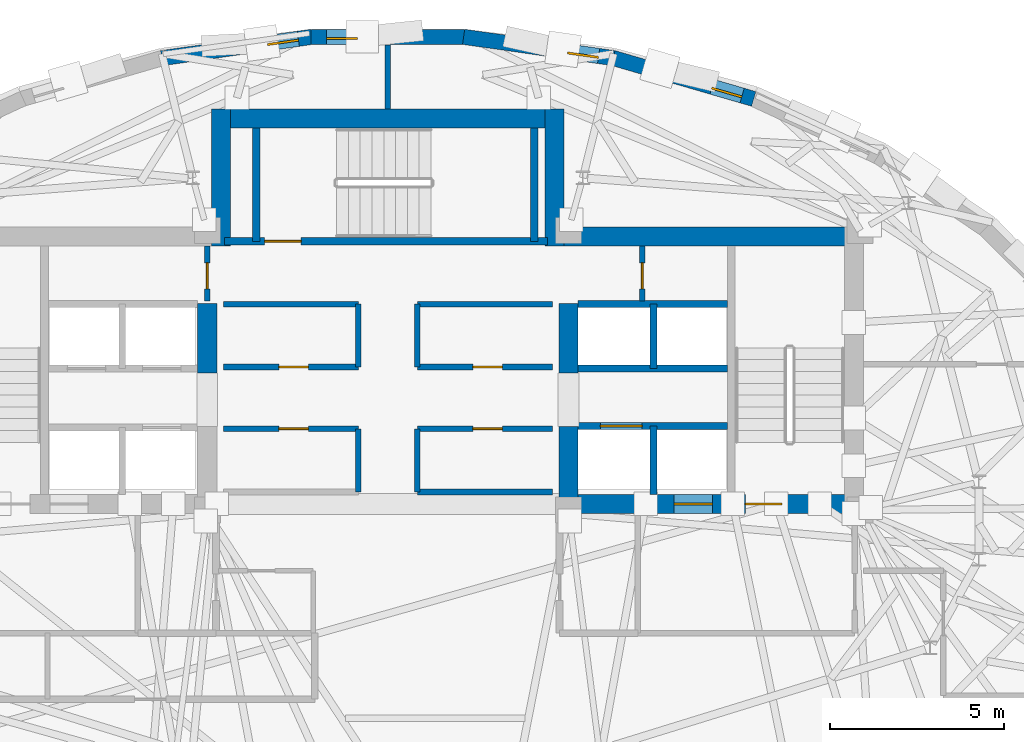
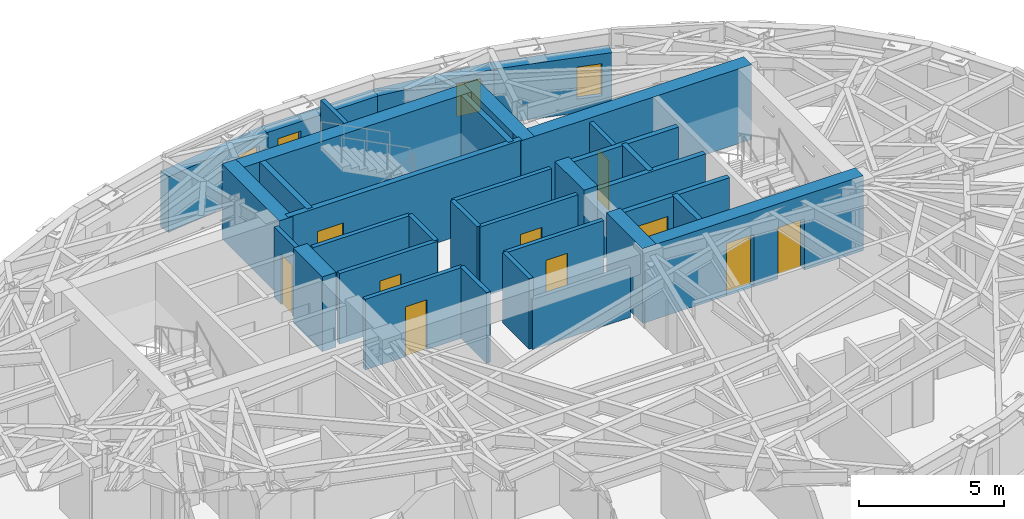
# One storey, part 8 of 12: 34 walls, 10 doors, 4 windows, 14 openings.
"""IFC4 building model written with IfcOpenShell, lengths in metres."""

from ifc_helpers import new_model, si_unit, direction, frame, frame_2d, origin, place, context, subcontext, project, spatial, rectangle, extrude, material, layer, layer_set, type_object, element, fill, save


model = new_model("IFC4")

# Units and contexts
model_context = context("Model", 3, precision=1e-05, world=origin(), true_north=direction((0.0, 1.0)))
body_context = subcontext(model_context, "Body", "Model", "MODEL_VIEW")
ifc_project = project(units=[si_unit("LENGTHUNIT", "METRE"), si_unit("AREAUNIT", "SQUARE_METRE"), si_unit("VOLUMEUNIT", "CUBIC_METRE"), si_unit("PLANEANGLEUNIT", "RADIAN"), si_unit("MASSUNIT", "GRAM", prefix="KILO")], contexts=[model_context])

# Site, building, storey
site_placement = place(None, origin())
site = spatial("IfcSite", under=ifc_project, at=site_placement, CompositionType="ELEMENT")
building_placement = place(site_placement, origin())
building = spatial("IfcBuilding", under=site, at=building_placement, Name="Keldmark Tower", CompositionType="ELEMENT")
storey_placement = place(building_placement, frame((0.0, 0.0, 228.89990234375)))
storey = spatial("IfcBuildingStorey", under=building, at=storey_placement, Name="L64", CompositionType="ELEMENT", Elevation=228.89990234375)

# Walls
ifc_material_1 = material(Name="Concrete C50/60", Category="concrete")
ifc_layer_1 = layer(ifc_material_1, 0.550048828125)
ifc_layer_set_1 = layer_set([ifc_layer_1], Name="Concrete C50/60")
wall_type_1 = type_object("IfcWallType", Name="High-Rise Core Shear Wall 550 mm", PredefinedType="SHEAR", material=ifc_layer_set_1)
wall_1_placement = place(storey_placement, frame((-5.199951171875, 5.35009765625, 0.0), z_axis=(0.0, 0.0, 1.0), x_axis=(0.0, 1.0, 0.0)))
element("IfcWall", 1, at=wall_1_placement, inside=storey, type_object=wall_type_1, Name="L64 West Core Inner Shear Pier North", PredefinedType="SHEAR", context=body_context, shape_type="SweptSolid", body=[
    extrude(rectangle(XDim=2.0, YDim=0.550048828125, at=frame_2d((1.0, 0.0))), origin(), (0.0, 0.0, 1.0), 3.150146484375),
])
wall_2_placement = place(storey_placement, frame((4.52490234375, 9.27490234375, 0.0), z_axis=(0.0, 0.0, 1.0), x_axis=(1.0, 0.0, 0.0)))
element("IfcWall", 2, at=wall_2_placement, inside=storey, type_object=wall_type_1, Name="L64 East Core North Shear Wall", PredefinedType="SHEAR", context=body_context, shape_type="SweptSolid", body=[
    extrude(rectangle(XDim=9.175048828125, YDim=0.550048828125, at=frame_2d((4.58740234375, 0.0))), origin(), (0.0, 0.0, 1.0), 3.150146484375),
])

# Wall, openings, doors
wall_3_placement = place(storey_placement, frame((13.699951171875, 1.574951171875, 0.0), z_axis=(0.0, 0.0, 1.0), x_axis=(-1.0, 0.0, 0.0)))
wall_3 = element("IfcWall", 3, at=wall_3_placement, inside=storey, type_object=wall_type_1, Name="L64 East Core South Shear Wall", PredefinedType="SHEAR", context=body_context, shape_type="SweptSolid", body=[
    extrude(rectangle(XDim=8.77490234375, YDim=0.550048828125, at=frame_2d((4.387451171875, 0.0))), origin(), (0.0, 0.0, 1.0), 3.150146484375),
])
opening_1_placement = place(wall_3_placement, frame((2.35009765625, 0.0, 0.0)))
opening_1 = element("IfcOpeningElement", 4, at=opening_1_placement, cuts=wall_3, Name="Opening D-ST105", PredefinedType="OPENING", context=body_context, shape_type="SweptSolid", body=[
    extrude(rectangle(XDim=1.050048828125, YDim=2.14990234375, at=frame_2d((0.52490234375, 1.074951171875))), frame((0.0, 0.284912109375, 0.0), z_axis=(0.0, -1.0, 0.0), x_axis=(1.0, 0.0, 0.0)), (0.0, 0.0, 1.0), 0.570068359375),
])
opening_2_placement = place(wall_3_placement, frame((4.35009765625, 0.0, 0.0)))
opening_2 = element("IfcOpeningElement", 5, at=opening_2_placement, cuts=wall_3, Name="Opening LD-110", PredefinedType="OPENING", context=body_context, shape_type="SweptSolid", body=[
    extrude(rectangle(XDim=1.10009765625, YDim=2.199951171875, at=frame_2d((0.550048828125, 1.10009765625))), frame((0.0, 0.284912109375, 0.0), z_axis=(0.0, -1.0, 0.0), x_axis=(1.0, 0.0, 0.0)), (0.0, 0.0, 1.0), 0.570068359375),
])
ifc_material_2 = material(Name="Brushed Bronze Hoistway Sliding Leaf", Category="metal")
door_type_1 = type_object("IfcDoorType", Name="Lift Landing Sliding Door 1100x2200", OperationType="SLIDING_TO_LEFT", PredefinedType="DOOR", material=ifc_material_2)
door_1_placement = place(opening_2_placement, origin())
door_1 = element("IfcDoor", 6, at=door_1_placement, inside=storey, type_object=door_type_1, Name="L64 Lift Landing Sliding Door 1100x2200 LD-EL-FS2-L64", OperationType="SLIDING_TO_LEFT", OverallHeight=2.199951171875, OverallWidth=1.10009765625, PredefinedType="DOOR", context=body_context, shape_type="SweptSolid", body=[
    extrude(rectangle(XDim=1.10009765625, YDim=2.199951171875, at=frame_2d((0.550048828125, 1.10009765625))), frame((0.0, 0.02490234375, 0.0), z_axis=(0.0, -1.0, 0.0), x_axis=(1.0, 0.0, 0.0)), (0.0, 0.0, 1.0), 0.050048828125),
])
fill(opening_2, door_1)
ifc_material_3 = material(Name="Hollow Metal Fire-Rated Door Assembly", Category="metal")
door_type_2 = type_object("IfcDoorType", Name="Stair Fire Door 1050x2150", OperationType="NOTDEFINED", PredefinedType="DOOR", material=ifc_material_3)
door_2_placement = place(opening_1_placement, origin())
door_2 = element("IfcDoor", 7, at=door_2_placement, inside=storey, type_object=door_type_2, Name="L64 Stair Fire Door 1050x2150 D-ST2-L64", OperationType="SINGLE_SWING_LEFT", OverallHeight=2.14990234375, OverallWidth=1.050048828125, PredefinedType="DOOR", context=body_context, shape_type="SweptSolid", body=[
    extrude(rectangle(XDim=1.050048828125, YDim=2.14990234375, at=frame_2d((0.52490234375, 1.074951171875))), frame((0.0, 0.02490234375, 0.0), z_axis=(0.0, -1.0, 0.0), x_axis=(1.0, 0.0, 0.0)), (0.0, 0.0, 1.0), 0.050048828125),
])
fill(opening_1, door_2)

# Walls
wall_4_placement = place(storey_placement, frame((5.199951171875, 1.300048828125, 0.0), z_axis=(0.0, 0.0, 1.0), x_axis=(0.0, 1.0, 0.0)))
element("IfcWall", 8, at=wall_4_placement, inside=storey, type_object=wall_type_1, Name="L64 East Core Inner Shear Pier South", PredefinedType="SHEAR", context=body_context, shape_type="SweptSolid", body=[
    extrude(rectangle(XDim=2.5, YDim=0.550048828125, at=frame_2d((1.25, 0.0))), origin(), (0.0, 0.0, 1.0), 3.150146484375),
])
wall_5_placement = place(storey_placement, frame((5.199951171875, 5.35009765625, 0.0), z_axis=(0.0, 0.0, 1.0), x_axis=(0.0, 1.0, 0.0)))
element("IfcWall", 9, at=wall_5_placement, inside=storey, type_object=wall_type_1, Name="L64 East Core Inner Shear Pier North", PredefinedType="SHEAR", context=body_context, shape_type="SweptSolid", body=[
    extrude(rectangle(XDim=2.0, YDim=0.550048828125, at=frame_2d((1.0, 0.0))), origin(), (0.0, 0.0, 1.0), 3.150146484375),
])
wall_6_placement = place(storey_placement, frame((-5.074951171875, 12.675048828125, 0.0), z_axis=(0.0, 0.0, 1.0), x_axis=(1.0, 0.0, 0.0)))
element("IfcWall", 10, at=wall_6_placement, inside=storey, type_object=wall_type_1, Name="L64 North Core Shear Wall", PredefinedType="SHEAR", context=body_context, shape_type="SweptSolid", body=[
    extrude(rectangle(XDim=10.14990234375, YDim=0.550048828125, at=frame_2d((5.074951171875, 0.0))), origin(), (0.0, 0.0, 1.0), 3.150146484375),
])
for number, where, z_axis, x_axis, name in (
    (11, (-4.800048828125, 9.0, 0.0), (0.0, 0.0, 1.0), (0.0, 1.0, 0.0), "L64 North Core West Shear Wall"),
    (12, (4.800048828125, 9.0, 0.0), (0.0, 0.0, 1.0), (0.0, 1.0, 0.0), "L64 North Core East Shear Wall"),
):
    element("IfcWall", number, at=place(storey_placement, frame(where, z_axis=z_axis, x_axis=x_axis)), inside=storey, type_object=wall_type_1, Name=name, PredefinedType="SHEAR", context=body_context, shape_type="SweptSolid", body=[
        extrude(rectangle(XDim=3.949951171875, YDim=0.550048828125, at=frame_2d((1.97509765625, 0.0))), origin(), (0.0, 0.0, 1.0), 3.150146484375),
    ])

# Wall, opening, door
ifc_material_4 = material(Name="Type X Fire-Rated Gypsum Partition Assembly", Category="gypsum")
ifc_layer_2 = layer(ifc_material_4, 0.1650390625)
ifc_layer_set_2 = layer_set([ifc_layer_2], Name="Type X Fire-Rated Gypsum Partition Assembly")
wall_type_2 = type_object("IfcWallType", Name="Rated Partition 165 mm", PredefinedType="PARTITIONING", material=ifc_layer_set_2)
wall_7_placement = place(storey_placement, frame((-4.739990234375, 3.739990234375, 0.0), z_axis=(0.0, 0.0, 1.0), x_axis=(1.0, 0.0, 0.0)))
wall_7 = element("IfcWall", 13, at=wall_7_placement, inside=storey, type_object=wall_type_2, Name="L64 Rated Partition 165 mm REC-LW-N", PredefinedType="PARTITIONING", context=body_context, shape_type="SweptSolid", body=[
    extrude(rectangle(XDim=3.889892578125, YDim=0.1650390625, at=frame_2d((1.94482421875, 0.0))), origin(), (0.0, 0.0, 1.0), 2.97021484375),
])
opening_3_placement = place(wall_7_placement, frame((1.60009765625, 0.0, 0.0)))
opening_3 = element("IfcOpeningElement", 14, at=opening_3_placement, cuts=wall_7, Name="Opening D-SV085", PredefinedType="OPENING", context=body_context, shape_type="SweptSolid", body=[
    extrude(rectangle(XDim=0.85009765625, YDim=2.10009765625, at=frame_2d((0.425048828125, 1.050048828125))), frame((0.0, 0.092529296875, 0.0), z_axis=(0.0, -1.0, 0.0), x_axis=(1.0, 0.0, 0.0)), (0.0, 0.0, 1.0), 0.18505859375),
])
ifc_material_5 = material(Name="Painted Hollow Metal Door Assembly", Category="metal")
door_type_3 = type_object("IfcDoorType", Name="Service Door 850x2100", OperationType="NOTDEFINED", PredefinedType="DOOR", material=ifc_material_5)
door_3_placement = place(opening_3_placement, origin())
door_3 = element("IfcDoor", 15, at=door_3_placement, inside=storey, type_object=door_type_3, Name="L64 Service Door 850x2100 D-RECLW1-L64", OperationType="SINGLE_SWING_LEFT", OverallHeight=2.10009765625, OverallWidth=0.85009765625, PredefinedType="DOOR", context=body_context, shape_type="SweptSolid", body=[
    extrude(rectangle(XDim=0.85009765625, YDim=2.10009765625, at=frame_2d((0.425048828125, 1.050048828125))), frame((0.0, 0.02490234375, 0.0), z_axis=(0.0, -1.0, 0.0), x_axis=(1.0, 0.0, 0.0)), (0.0, 0.0, 1.0), 0.050048828125),
])
fill(opening_3, door_3)

# Walls
wall_8_placement = place(storey_placement, frame((-0.85009765625, 1.919921875, 0.0), z_axis=(0.0, 0.0, 1.0), x_axis=(0.0, 1.0, 0.0)))
element("IfcWall", 16, at=wall_8_placement, inside=storey, type_object=wall_type_2, Name="L64 Rated Partition 165 mm REC-LW-E", PredefinedType="PARTITIONING", context=body_context, shape_type="SweptSolid", body=[
    extrude(rectangle(XDim=1.820068359375, YDim=0.1650390625, at=frame_2d((0.91015625, 0.0))), origin(), (0.0, 0.0, 1.0), 2.97021484375),
])
wall_9_placement = place(storey_placement, frame((0.85009765625, 1.919921875, 0.0), z_axis=(0.0, 0.0, 1.0), x_axis=(1.0, 0.0, 0.0)))
element("IfcWall", 17, at=wall_9_placement, inside=storey, type_object=wall_type_2, Name="L64 Rated Partition 165 mm REC-LE-S", PredefinedType="PARTITIONING", context=body_context, shape_type="SweptSolid", body=[
    extrude(rectangle(XDim=3.889892578125, YDim=0.1650390625, at=frame_2d((1.94482421875, 0.0))), origin(), (0.0, 0.0, 1.0), 2.110107421875),
])

# Wall, opening, door
wall_10_placement = place(storey_placement, frame((0.85009765625, 3.739990234375, 0.0), z_axis=(0.0, 0.0, 1.0), x_axis=(1.0, 0.0, 0.0)))
wall_10 = element("IfcWall", 18, at=wall_10_placement, inside=storey, type_object=wall_type_2, Name="L64 Rated Partition 165 mm REC-LE-N", PredefinedType="PARTITIONING", context=body_context, shape_type="SweptSolid", body=[
    extrude(rectangle(XDim=3.889892578125, YDim=0.1650390625, at=frame_2d((1.94482421875, 0.0))), origin(), (0.0, 0.0, 1.0), 2.97021484375),
])
opening_4_placement = place(wall_10_placement, frame((1.60009765625, 0.0, 0.0)))
opening_4 = element("IfcOpeningElement", 19, at=opening_4_placement, cuts=wall_10, Name="Opening D-SV085", PredefinedType="OPENING", context=body_context, shape_type="SweptSolid", body=[
    extrude(rectangle(XDim=0.85009765625, YDim=2.10009765625, at=frame_2d((0.425048828125, 1.050048828125))), frame((0.0, 0.092529296875, 0.0), z_axis=(0.0, -1.0, 0.0), x_axis=(1.0, 0.0, 0.0)), (0.0, 0.0, 1.0), 0.18505859375),
])
door_4_placement = place(opening_4_placement, origin())
door_4 = element("IfcDoor", 20, at=door_4_placement, inside=storey, type_object=door_type_3, Name="L64 Service Door 850x2100 D-RECLE1-L64", OperationType="SINGLE_SWING_RIGHT", OverallHeight=2.10009765625, OverallWidth=0.85009765625, PredefinedType="DOOR", context=body_context, shape_type="SweptSolid", body=[
    extrude(rectangle(XDim=0.85009765625, YDim=2.10009765625, at=frame_2d((0.425048828125, 1.050048828125))), frame((0.0, 0.02490234375, 0.0), z_axis=(0.0, -1.0, 0.0), x_axis=(1.0, 0.0, 0.0)), (0.0, 0.0, 1.0), 0.050048828125),
])
fill(opening_4, door_4)

# Wall
wall_11_placement = place(storey_placement, frame((0.85009765625, 1.919921875, 0.0), z_axis=(0.0, 0.0, 1.0), x_axis=(0.0, 1.0, 0.0)))
element("IfcWall", 21, at=wall_11_placement, inside=storey, type_object=wall_type_2, Name="L64 Rated Partition 165 mm REC-LE-W", PredefinedType="PARTITIONING", context=body_context, shape_type="SweptSolid", body=[
    extrude(rectangle(XDim=1.820068359375, YDim=0.1650390625, at=frame_2d((0.91015625, 0.0))), origin(), (0.0, 0.0, 1.0), 2.97021484375),
])

# Wall, opening, door
wall_12_placement = place(storey_placement, frame((-4.739990234375, 5.52001953125, 0.0), z_axis=(0.0, 0.0, 1.0), x_axis=(1.0, 0.0, 0.0)))
wall_12 = element("IfcWall", 22, at=wall_12_placement, inside=storey, type_object=wall_type_2, Name="L64 Rated Partition 165 mm REC-MW-S", PredefinedType="PARTITIONING", context=body_context, shape_type="SweptSolid", body=[
    extrude(rectangle(XDim=3.889892578125, YDim=0.1650390625, at=frame_2d((1.94482421875, 0.0))), origin(), (0.0, 0.0, 1.0), 2.97021484375),
])
opening_5_placement = place(wall_12_placement, frame((1.60009765625, 0.0, 0.0)))
opening_5 = element("IfcOpeningElement", 23, at=opening_5_placement, cuts=wall_12, Name="Opening D-SV085", PredefinedType="OPENING", context=body_context, shape_type="SweptSolid", body=[
    extrude(rectangle(XDim=0.85009765625, YDim=2.10009765625, at=frame_2d((0.425048828125, 1.050048828125))), frame((0.0, 0.092529296875, 0.0), z_axis=(0.0, -1.0, 0.0), x_axis=(1.0, 0.0, 0.0)), (0.0, 0.0, 1.0), 0.18505859375),
])
door_5_placement = place(opening_5_placement, origin())
door_5 = element("IfcDoor", 24, at=door_5_placement, inside=storey, type_object=door_type_3, Name="L64 Service Door 850x2100 D-RECMW1-L64", OperationType="SINGLE_SWING_LEFT", OverallHeight=2.10009765625, OverallWidth=0.85009765625, PredefinedType="DOOR", context=body_context, shape_type="SweptSolid", body=[
    extrude(rectangle(XDim=0.85009765625, YDim=2.10009765625, at=frame_2d((0.425048828125, 1.050048828125))), frame((0.0, 0.02490234375, 0.0), z_axis=(0.0, -1.0, 0.0), x_axis=(1.0, 0.0, 0.0)), (0.0, 0.0, 1.0), 0.050048828125),
])
fill(opening_5, door_5)

# Walls
wall_13_placement = place(storey_placement, frame((-4.739990234375, 7.330078125, 0.0), z_axis=(0.0, 0.0, 1.0), x_axis=(1.0, 0.0, 0.0)))
element("IfcWall", 25, at=wall_13_placement, inside=storey, type_object=wall_type_2, Name="L64 Rated Partition 165 mm REC-MW-N", PredefinedType="PARTITIONING", context=body_context, shape_type="SweptSolid", body=[
    extrude(rectangle(XDim=3.889892578125, YDim=0.1650390625, at=frame_2d((1.94482421875, 0.0))), origin(), (0.0, 0.0, 1.0), 2.97021484375),
])
wall_14_placement = place(storey_placement, frame((-0.85009765625, 5.52001953125, 0.0), z_axis=(0.0, 0.0, 1.0), x_axis=(0.0, 1.0, 0.0)))
element("IfcWall", 26, at=wall_14_placement, inside=storey, type_object=wall_type_2, Name="L64 Rated Partition 165 mm REC-MW-E", PredefinedType="PARTITIONING", context=body_context, shape_type="SweptSolid", body=[
    extrude(rectangle(XDim=1.81005859375, YDim=0.1650390625, at=frame_2d((0.905029296875, 0.0))), origin(), (0.0, 0.0, 1.0), 2.97021484375),
])

# Wall, opening, door
wall_15_placement = place(storey_placement, frame((0.85009765625, 5.52001953125, 0.0), z_axis=(0.0, 0.0, 1.0), x_axis=(1.0, 0.0, 0.0)))
wall_15 = element("IfcWall", 27, at=wall_15_placement, inside=storey, type_object=wall_type_2, Name="L64 Rated Partition 165 mm REC-ME-S", PredefinedType="PARTITIONING", context=body_context, shape_type="SweptSolid", body=[
    extrude(rectangle(XDim=3.889892578125, YDim=0.1650390625, at=frame_2d((1.94482421875, 0.0))), origin(), (0.0, 0.0, 1.0), 2.97021484375),
])
opening_6_placement = place(wall_15_placement, frame((1.60009765625, 0.0, 0.0)))
opening_6 = element("IfcOpeningElement", 28, at=opening_6_placement, cuts=wall_15, Name="Opening D-SV085", PredefinedType="OPENING", context=body_context, shape_type="SweptSolid", body=[
    extrude(rectangle(XDim=0.85009765625, YDim=2.10009765625, at=frame_2d((0.425048828125, 1.050048828125))), frame((0.0, 0.092529296875, 0.0), z_axis=(0.0, -1.0, 0.0), x_axis=(1.0, 0.0, 0.0)), (0.0, 0.0, 1.0), 0.18505859375),
])
door_6_placement = place(opening_6_placement, origin())
door_6 = element("IfcDoor", 29, at=door_6_placement, inside=storey, type_object=door_type_3, Name="L64 Service Door 850x2100 D-RECME1-L64", OperationType="SINGLE_SWING_RIGHT", OverallHeight=2.10009765625, OverallWidth=0.85009765625, PredefinedType="DOOR", context=body_context, shape_type="SweptSolid", body=[
    extrude(rectangle(XDim=0.85009765625, YDim=2.10009765625, at=frame_2d((0.425048828125, 1.050048828125))), frame((0.0, 0.02490234375, 0.0), z_axis=(0.0, -1.0, 0.0), x_axis=(1.0, 0.0, 0.0)), (0.0, 0.0, 1.0), 0.050048828125),
])
fill(opening_6, door_6)

# Walls
wall_16_placement = place(storey_placement, frame((0.85009765625, 7.330078125, 0.0), z_axis=(0.0, 0.0, 1.0), x_axis=(1.0, 0.0, 0.0)))
element("IfcWall", 30, at=wall_16_placement, inside=storey, type_object=wall_type_2, Name="L64 Rated Partition 165 mm REC-ME-N", PredefinedType="PARTITIONING", context=body_context, shape_type="SweptSolid", body=[
    extrude(rectangle(XDim=3.889892578125, YDim=0.1650390625, at=frame_2d((1.94482421875, 0.0))), origin(), (0.0, 0.0, 1.0), 2.97021484375),
])
wall_17_placement = place(storey_placement, frame((0.85009765625, 5.52001953125, 0.0), z_axis=(0.0, 0.0, 1.0), x_axis=(0.0, 1.0, 0.0)))
element("IfcWall", 31, at=wall_17_placement, inside=storey, type_object=wall_type_2, Name="L64 Rated Partition 165 mm REC-ME-W", PredefinedType="PARTITIONING", context=body_context, shape_type="SweptSolid", body=[
    extrude(rectangle(XDim=1.81005859375, YDim=0.1650390625, at=frame_2d((0.905029296875, 0.0))), origin(), (0.0, 0.0, 1.0), 2.97021484375),
])

# Wall, opening, door
wall_18_placement = place(storey_placement, frame((-5.199951171875, 7.419921875, 0.0), z_axis=(0.0, 0.0, 1.0), x_axis=(0.0, 1.0, 0.0)))
wall_18 = element("IfcWall", 32, at=wall_18_placement, inside=storey, type_object=wall_type_2, Name="L64 Rated Partition 165 mm CS-NW-E", PredefinedType="PARTITIONING", context=body_context, shape_type="SweptSolid", body=[
    extrude(rectangle(XDim=1.580078125, YDim=0.1650390625, at=frame_2d((0.7900390625, 0.0))), origin(), (0.0, 0.0, 1.0), 2.97021484375),
])
opening_7_placement = place(wall_18_placement, frame((0.35009765625, 0.0, 0.0)))
opening_7 = element("IfcOpeningElement", 33, at=opening_7_placement, cuts=wall_18, Name="Opening D-RS075", PredefinedType="OPENING", context=body_context, shape_type="SweptSolid", body=[
    extrude(rectangle(XDim=0.75, YDim=2.10009765625, at=frame_2d((0.375, 1.050048828125))), frame((0.0, 0.092529296875, 0.0), z_axis=(0.0, -1.0, 0.0), x_axis=(1.0, 0.0, 0.0)), (0.0, 0.0, 1.0), 0.18505859375),
])
ifc_material_6 = material(Name="Galvanized Fire-Rated Access Leaf", Category="metal")
door_type_4 = type_object("IfcDoorType", Name="Riser Access Door 750x2100", OperationType="NOTDEFINED", PredefinedType="DOOR", material=ifc_material_6)
door_7_placement = place(opening_7_placement, origin())
door_7 = element("IfcDoor", 34, at=door_7_placement, inside=storey, type_object=door_type_4, Name="L64 Riser Access Door 750x2100 D-CSNW1-L64", OperationType="SINGLE_SWING_LEFT", OverallHeight=2.10009765625, OverallWidth=0.75, PredefinedType="DOOR", context=body_context, shape_type="SweptSolid", body=[
    extrude(rectangle(XDim=0.75, YDim=2.10009765625, at=frame_2d((0.375, 1.050048828125))), frame((0.0, 0.02490234375, 0.0), z_axis=(0.0, -1.0, 0.0), x_axis=(1.0, 0.0, 0.0)), (0.0, 0.0, 1.0), 0.050048828125),
])
fill(opening_7, door_7)

wall_19_placement = place(storey_placement, frame((7.330078125, 7.419921875, 0.0), z_axis=(0.0, 0.0, 1.0), x_axis=(0.0, 1.0, 0.0)))
wall_19 = element("IfcWall", 35, at=wall_19_placement, inside=storey, type_object=wall_type_2, Name="L64 Rated Partition 165 mm CS-NE-W", PredefinedType="PARTITIONING", context=body_context, shape_type="SweptSolid", body=[
    extrude(rectangle(XDim=1.580078125, YDim=0.1650390625, at=frame_2d((0.7900390625, 0.0))), origin(), (0.0, 0.0, 1.0), 2.97021484375),
])
opening_8_placement = place(wall_19_placement, frame((0.35009765625, 0.0, 0.0)))
opening_8 = element("IfcOpeningElement", 36, at=opening_8_placement, cuts=wall_19, Name="Opening D-RS075", PredefinedType="OPENING", context=body_context, shape_type="SweptSolid", body=[
    extrude(rectangle(XDim=0.75, YDim=2.10009765625, at=frame_2d((0.375, 1.050048828125))), frame((0.0, 0.092529296875, 0.0), z_axis=(0.0, -1.0, 0.0), x_axis=(1.0, 0.0, 0.0)), (0.0, 0.0, 1.0), 0.18505859375),
])
door_8_placement = place(opening_8_placement, origin())
door_8 = element("IfcDoor", 37, at=door_8_placement, inside=storey, type_object=door_type_4, Name="L64 Riser Access Door 750x2100 D-CSNE1-L64", OperationType="SINGLE_SWING_RIGHT", OverallHeight=2.10009765625, OverallWidth=0.75, PredefinedType="DOOR", context=body_context, shape_type="SweptSolid", body=[
    extrude(rectangle(XDim=0.75, YDim=2.10009765625, at=frame_2d((0.375, 1.050048828125))), frame((0.0, 0.02490234375, 0.0), z_axis=(0.0, -1.0, 0.0), x_axis=(1.0, 0.0, 0.0)), (0.0, 0.0, 1.0), 0.050048828125),
])
fill(opening_8, door_8)

# Wall
wall_20_placement = place(storey_placement, frame((0.0, 12.949951171875, 0.0), z_axis=(0.0, 0.0, 1.0), x_axis=(0.0, 1.0, 0.0)))
element("IfcWall", 38, at=wall_20_placement, inside=storey, type_object=wall_type_2, Name="L64 Rated Partition 165 mm RN-DIV", PredefinedType="PARTITIONING", context=body_context, shape_type="SweptSolid", body=[
    extrude(rectangle(XDim=1.849853515625, YDim=0.1650390625, at=frame_2d((0.9248046875, 0.0))), origin(), (0.0, 0.0, 1.0), 2.97021484375),
])

# Wall, opening, door
ifc_material_7 = material(Name="Fire-Resistant Type X Gypsum Shaftliner Coreboard", Category="gypsum")
ifc_layer_3 = layer(ifc_material_7, 0.199951171875)
ifc_layer_set_3 = layer_set([ifc_layer_3], Name="Fire-Resistant Type X Gypsum Shaftliner Coreboard")
wall_type_3 = type_object("IfcWallType", Name="Shaft Wall 200 mm", PredefinedType="SOLIDWALL", material=ifc_layer_set_3)
wall_21_placement = place(storey_placement, frame((5.47509765625, 3.820068359375, 0.0), z_axis=(0.0, 0.0, 1.0), x_axis=(1.0, 0.0, 0.0)))
wall_21 = element("IfcWall", 39, at=wall_21_placement, inside=storey, type_object=wall_type_3, Name="L64 Shaft Wall 200 mm HW-E-S", PredefinedType="SOLIDWALL", context=body_context, shape_type="SweptSolid", body=[
    extrude(rectangle(XDim=4.304931640625, YDim=0.199951171875, at=frame_2d((2.15234375, 0.0))), origin(), (0.0, 0.0, 1.0), 2.97021484375),
])
opening_9_placement = place(wall_21_placement, frame((0.64990234375, 0.0, 0.0)))
opening_9 = element("IfcOpeningElement", 40, at=opening_9_placement, cuts=wall_21, Name="Opening LD-120", PredefinedType="OPENING", context=body_context, shape_type="SweptSolid", body=[
    extrude(rectangle(XDim=1.199951171875, YDim=2.199951171875, at=frame_2d((0.60009765625, 1.10009765625))), frame((0.0, 0.10986328125, 0.0), z_axis=(0.0, -1.0, 0.0), x_axis=(1.0, 0.0, 0.0)), (0.0, 0.0, 1.0), 0.219970703125),
])
ifc_material_8 = material(Name="Heavy-Duty Brushed Metal Hoistway Sliding Leaf", Category="metal")
door_type_5 = type_object("IfcDoorType", Name="Service Lift Sliding Door 1200x2200", OperationType="SLIDING_TO_RIGHT", PredefinedType="DOOR", material=ifc_material_8)
door_9_placement = place(opening_9_placement, origin())
door_9 = element("IfcDoor", 41, at=door_9_placement, inside=storey, type_object=door_type_5, Name="L64 Service Lift Sliding Door 1200x2200 LD-EL-SV1-L64", OperationType="SLIDING_TO_RIGHT", OverallHeight=2.199951171875, OverallWidth=1.199951171875, PredefinedType="DOOR", context=body_context, shape_type="SweptSolid", body=[
    extrude(rectangle(XDim=1.199951171875, YDim=2.199951171875, at=frame_2d((0.60009765625, 1.10009765625))), frame((0.0, 0.02490234375, 0.0), z_axis=(0.0, -1.0, 0.0), x_axis=(1.0, 0.0, 0.0)), (0.0, 0.0, 1.0), 0.050048828125),
])
fill(opening_9, door_9)

# Walls
wall_22_placement = place(storey_placement, frame((7.64990234375, 1.85009765625, 0.0), z_axis=(0.0, 0.0, 1.0), x_axis=(0.0, 1.0, 0.0)))
element("IfcWall", 42, at=wall_22_placement, inside=storey, type_object=wall_type_3, Name="L64 Shaft Wall 200 mm HW-E-M", PredefinedType="SOLIDWALL", context=body_context, shape_type="SweptSolid", body=[
    extrude(rectangle(XDim=1.969970703125, YDim=0.199951171875, at=frame_2d((0.98486328125, 0.0))), origin(), (0.0, 0.0, 1.0), 2.97021484375),
])
for number, where, z_axis, x_axis, name in (
    (43, (5.47509765625, 5.469970703125, 0.0), (0.0, 0.0, 1.0), (1.0, 0.0, 0.0), "L64 Shaft Wall 200 mm HW-E-N"),
    (44, (5.47509765625, 7.330078125, 0.0), (0.0, 0.0, 1.0), (1.0, 0.0, 0.0), "L64 Shaft Wall 200 mm HW-E-TOP"),
):
    element("IfcWall", number, at=place(storey_placement, frame(where, z_axis=z_axis, x_axis=x_axis)), inside=storey, type_object=wall_type_3, Name=name, PredefinedType="SOLIDWALL", context=body_context, shape_type="SweptSolid", body=[
        extrude(rectangle(XDim=4.304931640625, YDim=0.199951171875, at=frame_2d((2.15234375, 0.0))), origin(), (0.0, 0.0, 1.0), 2.97021484375),
    ])
wall_23_placement = place(storey_placement, frame((7.64990234375, 5.469970703125, 0.0), z_axis=(0.0, 0.0, 1.0), x_axis=(0.0, 1.0, 0.0)))
element("IfcWall", 45, at=wall_23_placement, inside=storey, type_object=wall_type_3, Name="L64 Shaft Wall 200 mm HW-E-NM", PredefinedType="SOLIDWALL", context=body_context, shape_type="SweptSolid", body=[
    extrude(rectangle(XDim=1.860107421875, YDim=0.199951171875, at=frame_2d((0.93017578125, 0.0))), origin(), (0.0, 0.0, 1.0), 2.97021484375),
])

# Wall, opening, door
ifc_material_9 = material(Name="Concrete C50/60", Category="concrete")
ifc_layer_4 = layer(ifc_material_9, 0.219970703125)
ifc_layer_set_4 = layer_set([ifc_layer_4], Name="Concrete C50/60")
wall_type_4 = type_object("IfcWallType", Name="Stair Core Shear Wall 220 mm", PredefinedType="SHEAR", material=ifc_layer_set_4)
wall_24_placement = place(storey_placement, frame((-4.699951171875, 9.139892578125, 0.0), z_axis=(0.0, 0.0, 1.0), x_axis=(1.0, 0.0, 0.0)))
wall_24 = element("IfcWall", 46, at=wall_24_placement, inside=storey, type_object=wall_type_4, Name="L64 Central Stair Core South Shear Wall", PredefinedType="SHEAR", context=body_context, shape_type="SweptSolid", body=[
    extrude(rectangle(XDim=9.300048828125, YDim=0.219970703125, at=frame_2d((4.64990234375, 0.0))), origin(), (0.0, 0.0, 1.0), 3.150146484375),
])
opening_10_placement = place(wall_24_placement, frame((1.14990234375, 0.0, 0.0)))
opening_10 = element("IfcOpeningElement", 47, at=opening_10_placement, cuts=wall_24, Name="Opening D-ST105", PredefinedType="OPENING", context=body_context, shape_type="SweptSolid", body=[
    extrude(rectangle(XDim=1.050048828125, YDim=2.14990234375, at=frame_2d((0.52490234375, 1.074951171875))), frame((0.0, 0.119873046875, 0.0), z_axis=(0.0, -1.0, 0.0), x_axis=(1.0, 0.0, 0.0)), (0.0, 0.0, 1.0), 0.239990234375),
])
door_10_placement = place(opening_10_placement, origin())
door_10 = element("IfcDoor", 48, at=door_10_placement, inside=storey, type_object=door_type_2, Name="L64 Stair Fire Door 1050x2150 D-ST3-L64", OperationType="SINGLE_SWING_LEFT", OverallHeight=2.14990234375, OverallWidth=1.050048828125, PredefinedType="DOOR", context=body_context, shape_type="SweptSolid", body=[
    extrude(rectangle(XDim=1.050048828125, YDim=2.14990234375, at=frame_2d((0.52490234375, 1.074951171875))), frame((0.0, 0.02490234375, 0.0), z_axis=(0.0, -1.0, 0.0), x_axis=(1.0, 0.0, 0.0)), (0.0, 0.0, 1.0), 0.050048828125),
])
fill(opening_10, door_10)

# Walls
for number, where, z_axis, x_axis, name in (
    (49, (-3.784912109375, 9.139892578125, 0.0), (0.0, 0.0, 1.0), (0.0, 1.0, 0.0), "L64 Central Stair Core West Shear Wall"),
    (50, (4.215087890625, 9.139892578125, 0.0), (0.0, 0.0, 1.0), (0.0, 1.0, 0.0), "L64 Central Stair Core East Shear Wall"),
):
    element("IfcWall", number, at=place(storey_placement, frame(where, z_axis=z_axis, x_axis=x_axis)), inside=storey, type_object=wall_type_4, Name=name, PredefinedType="SHEAR", context=body_context, shape_type="SweptSolid", body=[
        extrude(rectangle(XDim=3.260009765625, YDim=0.219970703125, at=frame_2d((1.6298828125, 0.0))), origin(), (0.0, 0.0, 1.0), 3.150146484375),
    ])

# Wall, opening, window
ifc_material_10 = material(Name="Ironspot Manganese Brick and Kasota Buff Limestone Spandrel Assembly", Category="masonry")
ifc_layer_5 = layer(ifc_material_10, 0.43994140625)
ifc_layer_set_5 = layer_set([ifc_layer_5], Name="Ironspot Manganese Brick and Kasota Buff Limestone Spandrel Assembly")
wall_type_5 = type_object("IfcWallType", Name="Tower Brick Pier and Spandrel Wall 440 mm", PredefinedType="STANDARD", material=ifc_layer_set_5)
wall_25_placement = place(storey_placement, frame((6.48388671875, 14.421630859375, 0.0), z_axis=(0.0, 0.0, 1.0), x_axis=(0.960138362531, -0.279525177393, 0.0)))
wall_25 = element("IfcWall", 51, at=wall_25_placement, inside=storey, type_object=wall_type_5, Name="L64 Exterior Brick and Spandrel Wall 06", PredefinedType="STANDARD", context=body_context, shape_type="SweptSolid", body=[
    extrude(rectangle(XDim=4.2255859375, YDim=0.43994140625, at=frame_2d((2.11279296875, 0.0))), origin(), (0.0, 0.0, 1.0), 2.336181640625),
])
opening_11_placement = place(wall_25_placement, frame((2.9765625, 0.0, 0.580078125)))
opening_11 = element("IfcOpeningElement", 52, at=opening_11_placement, cuts=wall_25, Name="Opening W-09", PredefinedType="OPENING", context=body_context, shape_type="SweptSolid", body=[
    extrude(rectangle(XDim=0.89990234375, YDim=1.35009765625, at=frame_2d((0.449951171875, 0.675048828125))), frame((0.0, 0.22998046875, 0.0), z_axis=(0.0, -1.0, 0.0), x_axis=(1.0, 0.0, 0.0)), (0.0, 0.0, 1.0), 0.4599609375),
])
ifc_material_11 = material(Name="Thermally Broken Anodized Aluminum and Triple Low-E Argon Glazing", Category="aluminium")
window_type = type_object("IfcWindowType", Name="Corner Pier Deep-Set Window 900x1350", PartitioningType="SINGLE_PANEL", PredefinedType="WINDOW", material=ifc_material_11)
window_1_placement = place(opening_11_placement, origin())
window_1 = element("IfcWindow", 53, at=window_1_placement, inside=storey, type_object=window_type, Name="L64 Deep-Set Window 06", OverallHeight=1.35009765625, OverallWidth=0.89990234375, PartitioningType="SINGLE_PANEL", PredefinedType="WINDOW", context=body_context, shape_type="SweptSolid", body=[
    extrude(rectangle(XDim=0.89990234375, YDim=1.35009765625, at=frame_2d((0.449951171875, 0.675048828125))), frame((0.0, -0.010009765625, 0.0), z_axis=(0.0, -1.0, 0.0), x_axis=(1.0, 0.0, 0.0)), (0.0, 0.0, 1.0), 0.06005859375),
])
fill(opening_11, window_1)

wall_26_placement = place(storey_placement, frame((2.18359375, 15.02978515625, 0.0), z_axis=(0.0, 0.0, 1.0), x_axis=(0.990076340622, -0.140530565146, 0.0)))
wall_26 = element("IfcWall", 54, at=wall_26_placement, inside=storey, type_object=wall_type_5, Name="L64 Exterior Brick and Spandrel Wall 07", PredefinedType="STANDARD", context=body_context, shape_type="SweptSolid", body=[
    extrude(rectangle(XDim=4.37451171875, YDim=0.43994140625, at=frame_2d((2.187255859375, 0.0))), origin(), (0.0, 0.0, 1.0), 2.336181640625),
])
opening_12_placement = place(wall_26_placement, frame((3.026611328125, 0.0, 0.580078125)))
opening_12 = element("IfcOpeningElement", 55, at=opening_12_placement, cuts=wall_26, Name="Opening W-09", PredefinedType="OPENING", context=body_context, shape_type="SweptSolid", body=[
    extrude(rectangle(XDim=0.89990234375, YDim=1.35009765625, at=frame_2d((0.449951171875, 0.675048828125))), frame((0.0, 0.22998046875, 0.0), z_axis=(0.0, -1.0, 0.0), x_axis=(1.0, 0.0, 0.0)), (0.0, 0.0, 1.0), 0.4599609375),
])
window_2_placement = place(opening_12_placement, origin())
window_2 = element("IfcWindow", 56, at=window_2_placement, inside=storey, type_object=window_type, Name="L64 Deep-Set Window 07", OverallHeight=1.35009765625, OverallWidth=0.89990234375, PartitioningType="SINGLE_PANEL", PredefinedType="WINDOW", context=body_context, shape_type="SweptSolid", body=[
    extrude(rectangle(XDim=0.89990234375, YDim=1.35009765625, at=frame_2d((0.449951171875, 0.675048828125))), frame((0.0, -0.010009765625, 0.0), z_axis=(0.0, -1.0, 0.0), x_axis=(1.0, 0.0, 0.0)), (0.0, 0.0, 1.0), 0.06005859375),
])
fill(opening_12, window_2)

wall_27_placement = place(storey_placement, frame((-2.214599609375, 15.027587890625, 0.0), z_axis=(0.0, 0.0, 1.0), x_axis=(1.0, 0.0, 0.0)))
wall_27 = element("IfcWall", 57, at=wall_27_placement, inside=storey, type_object=wall_type_5, Name="L64 Exterior Brick and Spandrel Wall 08", PredefinedType="STANDARD", context=body_context, shape_type="SweptSolid", body=[
    extrude(rectangle(XDim=4.42919921875, YDim=0.43994140625, at=frame_2d((2.214599609375, 0.0))), origin(), (0.0, 0.0, 1.0), 2.336181640625),
])
opening_13_placement = place(wall_27_placement, frame((0.4482421875, 0.0, 0.580078125)))
opening_13 = element("IfcOpeningElement", 58, at=opening_13_placement, cuts=wall_27, Name="Opening W-09", PredefinedType="OPENING", context=body_context, shape_type="SweptSolid", body=[
    extrude(rectangle(XDim=0.89990234375, YDim=1.35009765625, at=frame_2d((0.449951171875, 0.675048828125))), frame((0.0, 0.22998046875, 0.0), z_axis=(0.0, -1.0, 0.0), x_axis=(1.0, 0.0, 0.0)), (0.0, 0.0, 1.0), 0.4599609375),
])
window_3_placement = place(opening_13_placement, origin())
window_3 = element("IfcWindow", 59, at=window_3_placement, inside=storey, type_object=window_type, Name="L64 Deep-Set Window 08", OverallHeight=1.35009765625, OverallWidth=0.89990234375, PartitioningType="SINGLE_PANEL", PredefinedType="WINDOW", context=body_context, shape_type="SweptSolid", body=[
    extrude(rectangle(XDim=0.89990234375, YDim=1.35009765625, at=frame_2d((0.449951171875, 0.675048828125))), frame((0.0, -0.010009765625, 0.0), z_axis=(0.0, -1.0, 0.0), x_axis=(1.0, 0.0, 0.0)), (0.0, 0.0, 1.0), 0.06005859375),
])
fill(opening_13, window_3)

wall_28_placement = place(storey_placement, frame((-6.5146484375, 14.4150390625, 0.0), z_axis=(0.0, 0.0, 1.0), x_axis=(0.990076340622, 0.140530565146, 0.0)))
wall_28 = element("IfcWall", 60, at=wall_28_placement, inside=storey, type_object=wall_type_5, Name="L64 Exterior Brick and Spandrel Wall 09", PredefinedType="STANDARD", context=body_context, shape_type="SweptSolid", body=[
    extrude(rectangle(XDim=4.37451171875, YDim=0.43994140625, at=frame_2d((2.187255859375, 0.0))), origin(), (0.0, 0.0, 1.0), 2.336181640625),
])
opening_14_placement = place(wall_28_placement, frame((3.076171875, 0.0, 0.580078125)))
opening_14 = element("IfcOpeningElement", 61, at=opening_14_placement, cuts=wall_28, Name="Opening W-09", PredefinedType="OPENING", context=body_context, shape_type="SweptSolid", body=[
    extrude(rectangle(XDim=0.89990234375, YDim=1.35009765625, at=frame_2d((0.449951171875, 0.675048828125))), frame((0.0, 0.22998046875, 0.0), z_axis=(0.0, -1.0, 0.0), x_axis=(1.0, 0.0, 0.0)), (0.0, 0.0, 1.0), 0.4599609375),
])
window_4_placement = place(opening_14_placement, origin())
window_4 = element("IfcWindow", 62, at=window_4_placement, inside=storey, type_object=window_type, Name="L64 Deep-Set Window 09", OverallHeight=1.35009765625, OverallWidth=0.89990234375, PartitioningType="SINGLE_PANEL", PredefinedType="WINDOW", context=body_context, shape_type="SweptSolid", body=[
    extrude(rectangle(XDim=0.89990234375, YDim=1.35009765625, at=frame_2d((0.449951171875, 0.675048828125))), frame((0.0, -0.010009765625, 0.0), z_axis=(0.0, -1.0, 0.0), x_axis=(1.0, 0.0, 0.0)), (0.0, 0.0, 1.0), 0.06005859375),
])
fill(opening_14, window_4)

save(model, "model.ifc")
